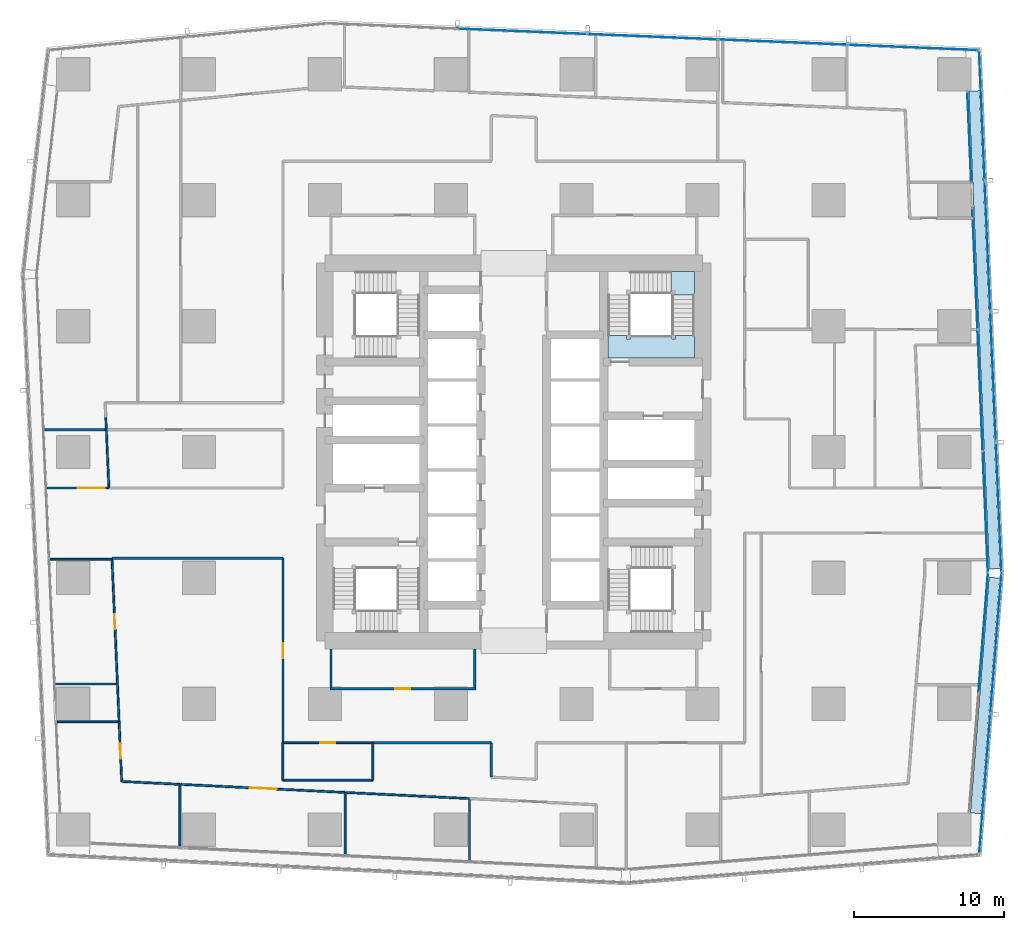
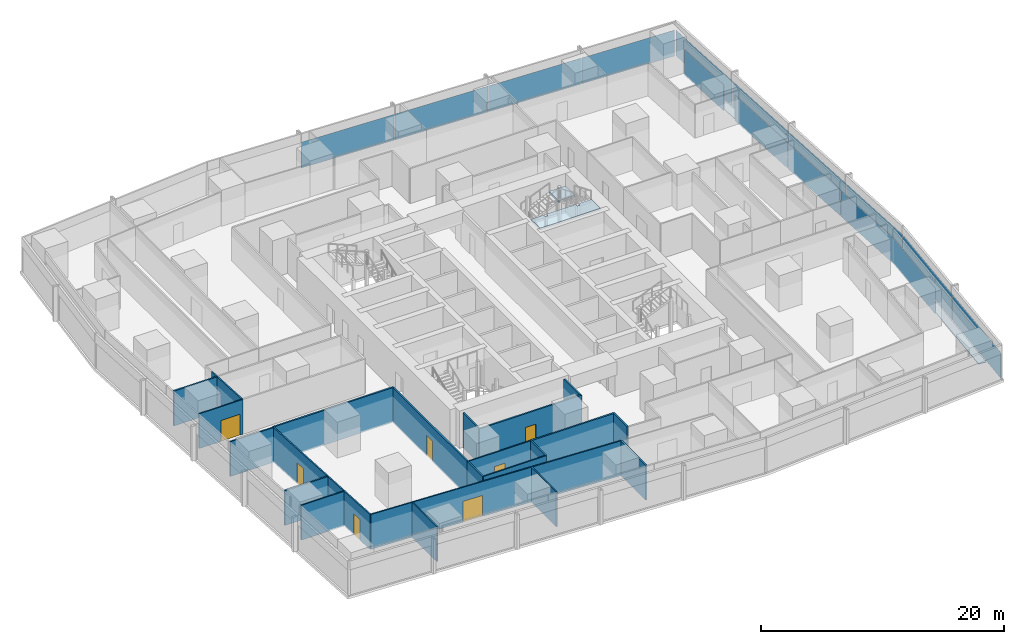
# One storey, part 31 of 45: 27 walls, 17 plates, 7 doors, 2 slabs, 7 openings, 7 elements without a shape of their own.
"""IFC4 building model written with IfcOpenShell, lengths in metres."""

from ifc_helpers import new_model, si_unit, direction, frame, frame_2d, origin, origin_2d, place, context, subcontext, project, spatial, polyline, rectangle, outline, extrude, material, layer, layer_set, type_object, element, fill, aggregate, save


model = new_model("IFC4")

# Units and contexts
model_context = context("Model", 3, precision=1e-05, world=origin(), true_north=direction((0.0, 1.0)))
body_context = subcontext(model_context, "Body", "Model", "MODEL_VIEW")
ifc_project = project(units=[si_unit("LENGTHUNIT", "METRE"), si_unit("AREAUNIT", "SQUARE_METRE"), si_unit("VOLUMEUNIT", "CUBIC_METRE"), si_unit("PLANEANGLEUNIT", "RADIAN"), si_unit("MASSUNIT", "GRAM", prefix="KILO")], contexts=[model_context])

# Site, building, storey
site_placement = place(None, origin())
site = spatial("IfcSite", under=ifc_project, at=site_placement, CompositionType="ELEMENT")
building_placement = place(site_placement, origin())
building = spatial("IfcBuilding", under=site, at=building_placement, Name="Rekha Terrace Tower", CompositionType="ELEMENT")
storey_placement = place(building_placement, frame((0.0, 0.0, 44.14990234375)))
storey = spatial("IfcBuildingStorey", under=building, at=storey_placement, Name="L10", CompositionType="ELEMENT", Elevation=44.14990234375)

# Curtain wall, plate
ifc_material_1 = material(Name="Aluminium framing", Category="aluminium")
curtain_wall_type_1 = type_object("IfcCurtainWallType", Name="CW1 double skin inner glazing", PredefinedType="USERDEFINED", material=ifc_material_1)
curtain_wall_1_placement = place(storey_placement, origin())
curtain_wall_1 = element("IfcCurtainWall", 1, at=curtain_wall_1_placement, inside=storey, type_object=curtain_wall_type_1, Name="CW1 double skin inner glazing", ObjectType="DOUBLE SKIN INNER GLAZING", PredefinedType="USERDEFINED")
ifc_material_2 = material(Name="Double-glazed low-e unit 32", Category="glass")
ifc_layer_1 = layer(ifc_material_2, 0.031982421875)
ifc_layer_set_1 = layer_set([ifc_layer_1], Name="Double-glazed low-e unit 32")
plate_type_1 = type_object("IfcPlateType", Name="CW1 jumbo vision panel, double-glazed low-e unit 32", PredefinedType="CURTAIN_PANEL", material=ifc_layer_set_1)
plate_1_placement = place(storey_placement, frame((69.1220703125, 21.53759765625, 0.0), z_axis=(0.0, 0.0, 1.0), x_axis=(0.079116301, 0.996865392576, 0.0)))
plate_1 = element("IfcPlate", 2, at=plate_1_placement, type_object=plate_type_1, Name="CW1 panel 2.1", PredefinedType="CURTAIN_PANEL", context=body_context, shape_type="SweptSolid", body=[
    extrude(rectangle(XDim=7.988525390625, YDim=0.031982421875, at=origin_2d()), origin(), (0.0, 0.0, 1.0), 2.60009765625),
])
aggregate(curtain_wall_1, [plate_1])

# Curtain wall, plates
curtain_wall_2_placement = place(storey_placement, origin())
curtain_wall_2 = element("IfcCurtainWall", 3, at=curtain_wall_2_placement, inside=storey, type_object=curtain_wall_type_1, Name="CW1 double skin inner glazing", ObjectType="DOUBLE SKIN INNER GLAZING", PredefinedType="USERDEFINED")
plate_2_placement = place(storey_placement, frame((69.263671875, 29.60107421875, 0.0), z_axis=(0.0, 0.0, 1.0), x_axis=(-0.042696072921, 0.999088106904, 0.0)))
plate_2 = element("IfcPlate", 4, at=plate_2_placement, type_object=plate_type_1, Name="CW1 panel 1.1", PredefinedType="CURTAIN_PANEL", context=body_context, shape_type="SweptSolid", body=[
    extrude(rectangle(XDim=8.041015625, YDim=0.031982421875, at=origin_2d()), origin(), (0.0, 0.0, 1.0), 2.60009765625),
])
plate_3_placement = place(storey_placement, frame((68.9169921875, 37.7158203125, 0.0), z_axis=(0.0, 0.0, 1.0), x_axis=(-0.042696072921, 0.999088106904, 0.0)))
plate_3 = element("IfcPlate", 5, at=plate_3_placement, type_object=plate_type_1, Name="CW1 panel 2.1", PredefinedType="CURTAIN_PANEL", context=body_context, shape_type="SweptSolid", body=[
    extrude(rectangle(XDim=8.073486328125, YDim=0.031982421875, at=origin_2d()), origin(), (0.0, 0.0, 1.0), 2.60009765625),
])
plate_4_placement = place(storey_placement, frame((68.5703125, 45.83056640625, 0.0), z_axis=(0.0, 0.0, 1.0), x_axis=(-0.042696072921, 0.999088106904, 0.0)))
plate_4 = element("IfcPlate", 6, at=plate_4_placement, type_object=plate_type_1, Name="CW1 panel 3.1", PredefinedType="CURTAIN_PANEL", context=body_context, shape_type="SweptSolid", body=[
    extrude(rectangle(XDim=8.041015625, YDim=0.031982421875, at=origin_2d()), origin(), (0.0, 0.0, 1.0), 2.60009765625),
])
aggregate(curtain_wall_2, [plate_2, plate_3, plate_4])

# Curtain wall, plate
curtain_wall_3_placement = place(storey_placement, origin())
curtain_wall_3 = element("IfcCurtainWall", 7, at=curtain_wall_3_placement, inside=storey, type_object=curtain_wall_type_1, Name="CW1 double skin inner glazing", ObjectType="DOUBLE SKIN INNER GLAZING", PredefinedType="USERDEFINED")
plate_5_placement = place(storey_placement, frame((68.195556640625, 54.60009765625, 0.0), z_axis=(0.0, 0.0, 1.0), x_axis=(-0.042696073026, 0.9990881069, 0.0)))
plate_5 = element("IfcPlate", 8, at=plate_5_placement, type_object=plate_type_1, Name="CW1 panel 1.1", PredefinedType="CURTAIN_PANEL", context=body_context, shape_type="SweptSolid", body=[
    extrude(rectangle(XDim=6.027587890625, YDim=0.031982421875, at=origin_2d()), origin(), (0.0, 0.0, 1.0), 2.60009765625),
])
aggregate(curtain_wall_3, [plate_5])

# Curtain wall, plates
curtain_wall_type_2 = type_object("IfcCurtainWallType", Name="CW2 double skin outer glazing", PredefinedType="USERDEFINED", material=ifc_material_1)
curtain_wall_4_placement = place(storey_placement, origin())
curtain_wall_4 = element("IfcCurtainWall", 9, at=curtain_wall_4_placement, inside=storey, type_object=curtain_wall_type_2, Name="CW2 double skin outer glazing", ObjectType="DOUBLE SKIN OUTER GLAZING", PredefinedType="USERDEFINED")
ifc_material_3 = material(Name="Toughened single glazing 12", Category="glass")
ifc_layer_2 = layer(ifc_material_3, 0.011962890625)
ifc_layer_set_2 = layer_set([ifc_layer_2], Name="Toughened single glazing 12")
plate_type_2 = type_object("IfcPlateType", Name="CW2 jumbo vision panel, toughened single glazing 12", PredefinedType="CURTAIN_PANEL", material=ifc_layer_set_2)
plate_6_placement = place(storey_placement, frame((69.22509765625, 11.45703125, 0.0), z_axis=(0.0, 0.0, 1.0), x_axis=(0.079116301017, 0.996865392575, 0.0)))
plate_6 = element("IfcPlate", 10, at=plate_6_placement, type_object=plate_type_2, Name="CW2 panel 1.1", PredefinedType="CURTAIN_PANEL", context=body_context, shape_type="SweptSolid", body=[
    extrude(rectangle(XDim=9.28662109375, YDim=0.011962890625, at=origin_2d()), origin(), (0.0, 0.0, 1.0), 2.60009765625),
])
plate_7_placement = place(storey_placement, frame((69.96923828125, 20.834228515625, 0.0), z_axis=(0.0, 0.0, 1.0), x_axis=(0.079116301017, 0.996865392575, 0.0)))
plate_7 = element("IfcPlate", 11, at=plate_7_placement, type_object=plate_type_2, Name="CW2 panel 2.1", PredefinedType="CURTAIN_PANEL", context=body_context, shape_type="SweptSolid", body=[
    extrude(rectangle(XDim=9.36669921875, YDim=0.011962890625, at=origin_2d()), origin(), (0.0, 0.0, 1.0), 2.60009765625),
])
aggregate(curtain_wall_4, [plate_6, plate_7])

curtain_wall_5_placement = place(storey_placement, origin())
curtain_wall_5 = element("IfcCurtainWall", 12, at=curtain_wall_5_placement, inside=storey, type_object=curtain_wall_type_2, Name="CW2 double skin outer glazing", ObjectType="DOUBLE SKIN OUTER GLAZING", PredefinedType="USERDEFINED")
plate_8_placement = place(storey_placement, frame((70.152099609375, 29.890869140625, 0.0), z_axis=(0.0, 0.0, 1.0), x_axis=(-0.042696072956, 0.999088106903, 0.0)))
plate_8 = element("IfcPlate", 13, at=plate_8_placement, type_object=plate_type_2, Name="CW2 panel 1.1", PredefinedType="CURTAIN_PANEL", context=body_context, shape_type="SweptSolid", body=[
    extrude(rectangle(XDim=8.623779296875, YDim=0.011962890625, at=origin_2d()), origin(), (0.0, 0.0, 1.0), 2.60009765625),
])
plate_9_placement = place(storey_placement, frame((69.77978515625, 38.606689453125, 0.0), z_axis=(0.0, 0.0, 1.0), x_axis=(-0.042696072956, 0.999088106903, 0.0)))
plate_9 = element("IfcPlate", 14, at=plate_9_placement, type_object=plate_type_2, Name="CW2 panel 2.1", PredefinedType="CURTAIN_PANEL", context=body_context, shape_type="SweptSolid", body=[
    extrude(rectangle(XDim=8.663818359375, YDim=0.011962890625, at=origin_2d()), origin(), (0.0, 0.0, 1.0), 2.60009765625),
])
plate_10_placement = place(storey_placement, frame((69.406494140625, 47.342529296875, 0.0), z_axis=(0.0, 0.0, 1.0), x_axis=(-0.042696072956, 0.999088106903, 0.0)))
plate_10 = element("IfcPlate", 15, at=plate_10_placement, type_object=plate_type_2, Name="CW2 panel 3.1", PredefinedType="CURTAIN_PANEL", context=body_context, shape_type="SweptSolid", body=[
    extrude(rectangle(XDim=8.663818359375, YDim=0.011962890625, at=origin_2d()), origin(), (0.0, 0.0, 1.0), 2.60009765625),
])
plate_11_placement = place(storey_placement, frame((69.033935546875, 56.058349609375, 0.0), z_axis=(0.0, 0.0, 1.0), x_axis=(-0.042696072956, 0.999088106903, 0.0)))
plate_11 = element("IfcPlate", 16, at=plate_11_placement, type_object=plate_type_2, Name="CW2 panel 4.1", PredefinedType="CURTAIN_PANEL", context=body_context, shape_type="SweptSolid", body=[
    extrude(rectangle(XDim=8.623779296875, YDim=0.011962890625, at=origin_2d()), origin(), (0.0, 0.0, 1.0), 2.60009765625),
])
aggregate(curtain_wall_5, [plate_8, plate_9, plate_10, plate_11])

curtain_wall_type_3 = type_object("IfcCurtainWallType", Name="CW3 north unitised glazing", PredefinedType="USERDEFINED", material=ifc_material_1)
curtain_wall_6_placement = place(storey_placement, origin())
curtain_wall_6 = element("IfcCurtainWall", 17, at=curtain_wall_6_placement, inside=storey, type_object=curtain_wall_type_3, Name="CW3 unitised curtain wall", ObjectType="UNITISED CURTAIN WALL", PredefinedType="USERDEFINED")
ifc_material_4 = material(Name="Double-glazed unit 28", Category="glass")
ifc_layer_3 = layer(ifc_material_4, 0.028076171875)
ifc_layer_set_3 = layer_set([ifc_layer_3], Name="Double-glazed unit 28")
plate_type_3 = type_object("IfcPlateType", Name="CW3 jumbo vision panel, double-glazed unit 28", PredefinedType="CURTAIN_PANEL", material=ifc_layer_set_3)
plate_12_placement = place(storey_placement, frame((64.4423828125, 60.587646484375, 0.0), z_axis=(0.0, 0.0, 1.0), x_axis=(-0.999151997647, 0.041173846041, 0.0)))
plate_12 = element("IfcPlate", 18, at=plate_12_placement, type_object=plate_type_3, Name="CW3 panel 1.1", PredefinedType="CURTAIN_PANEL", context=body_context, shape_type="SweptSolid", body=[
    extrude(rectangle(XDim=8.598876953125, YDim=0.028076171875, at=origin_2d()), origin(), (0.0, 0.0, 1.0), 2.60009765625),
])
plate_13_placement = place(storey_placement, frame((55.76318359375, 60.9453125, 0.0), z_axis=(0.0, 0.0, 1.0), x_axis=(-0.999151997647, 0.041173846041, 0.0)))
plate_13 = element("IfcPlate", 19, at=plate_13_placement, type_object=plate_type_3, Name="CW3 panel 2.1", PredefinedType="CURTAIN_PANEL", context=body_context, shape_type="SweptSolid", body=[
    extrude(rectangle(XDim=8.6337890625, YDim=0.028076171875, at=origin_2d()), origin(), (0.0, 0.0, 1.0), 2.60009765625),
])
plate_14_placement = place(storey_placement, frame((47.066650390625, 61.3037109375, 0.0), z_axis=(0.0, 0.0, 1.0), x_axis=(-0.999151997647, 0.041173846041, 0.0)))
plate_14 = element("IfcPlate", 20, at=plate_14_placement, type_object=plate_type_3, Name="CW3 panel 3.1", PredefinedType="CURTAIN_PANEL", context=body_context, shape_type="SweptSolid", body=[
    extrude(rectangle(XDim=8.6337890625, YDim=0.028076171875, at=origin_2d()), origin(), (0.0, 0.0, 1.0), 2.60009765625),
])
plate_15_placement = place(storey_placement, frame((38.370361328125, 61.662109375, 0.0), z_axis=(0.0, 0.0, 1.0), x_axis=(-0.999151997647, 0.041173846041, 0.0)))
plate_15 = element("IfcPlate", 21, at=plate_15_placement, type_object=plate_type_3, Name="CW3 panel 4.1", PredefinedType="CURTAIN_PANEL", context=body_context, shape_type="SweptSolid", body=[
    extrude(rectangle(XDim=8.6337890625, YDim=0.028076171875, at=origin_2d()), origin(), (0.0, 0.0, 1.0), 2.60009765625),
])
aggregate(curtain_wall_6, [plate_12, plate_13, plate_14, plate_15])

# Plates
ifc_material_5 = material(Name="Galvanised steel open grating", Category="steel")
ifc_layer_4 = layer(ifc_material_5, 0.050048828125)
ifc_layer_set_4 = layer_set([ifc_layer_4], Name="Galvanised steel open grating")
plate_type_4 = type_object("IfcPlateType", Name="GT1 cavity walkway grating 50", PredefinedType="USERDEFINED", material=ifc_layer_set_4)
plate_16_placement = place(storey_placement, frame((69.241455078125, 17.353515625, 0.0), z_axis=(0.0, 0.0, 1.0), x_axis=(0.079116301, 0.996865392576, 0.0)))
element("IfcPlate", 22, at=plate_16_placement, inside=storey, type_object=plate_type_4, Name="Cavity walkway grating", ObjectType="CAVITY WALKWAY GRATING", PredefinedType="USERDEFINED", context=body_context, shape_type="SweptSolid", body=[
    extrude(rectangle(XDim=15.7666015625, YDim=0.705078125, at=origin_2d()), origin(), (0.0, 0.0, 1.0), 0.050048828125),
])
plate_17_placement = place(storey_placement, frame((69.195068359375, 41.75, 0.0), z_axis=(0.0, 0.0, 1.0), x_axis=(-0.042696072939, 0.999088106903, 0.0)))
element("IfcPlate", 23, at=plate_17_placement, inside=storey, type_object=plate_type_4, Name="Cavity walkway grating", ObjectType="CAVITY WALKWAY GRATING", PredefinedType="USERDEFINED", context=body_context, shape_type="SweptSolid", body=[
    extrude(rectangle(XDim=31.9072265625, YDim=0.705078125, at=origin_2d()), origin(), (0.0, 0.0, 1.0), 0.050048828125),
])

# Stair, slabs
ifc_material_6 = material(Name="Concrete M40", Category="concrete")
stair_type = type_object("IfcStairType", Name="ST30 stair, 30 risers of 125, going 300, 1500 wide flights, 3 flights", PredefinedType="HALF_TURN_STAIR", material=ifc_material_6)
stair_placement = place(storey_placement, origin())
stair = element("IfcStair", 24, at=stair_placement, inside=storey, type_object=stair_type, Name="Stair ST2 L10 to L11", PredefinedType="HALF_TURN_STAIR")
ifc_layer_5 = layer(ifc_material_6, 0.199951171875)
ifc_layer_set_5 = layer_set([ifc_layer_5], Name="Concrete M40")
slab_type = type_object("IfcSlabType", Name="LD1 200 concrete stair landing", PredefinedType="LANDING", material=ifc_layer_set_5)
slab_1_placement = place(storey_placement, frame((0.0, 0.0, 2.300048828125)))
slab_1 = element("IfcSlab", 25, at=slab_1_placement, type_object=slab_type, Name="ST2 landing 2", PredefinedType="LANDING", context=body_context, shape_type="SweptSolid", body=[
    extrude(outline(polyline([(48.35009765625, 44.074951171875), (49.85009765625, 44.074951171875), (49.85009765625, 45.64990234375), (48.27490234375, 45.64990234375), (48.27490234375, 44.14990234375), (48.35009765625, 44.14990234375), (48.35009765625, 44.074951171875)])), origin(), (0.0, 0.0, 1.0), 0.199951171875),
])
slab_2_placement = place(storey_placement, frame((0.0, 0.0, 3.550048828125)))
slab_2 = element("IfcSlab", 26, at=slab_2_placement, type_object=slab_type, Name="ST2 landing 3", PredefinedType="LANDING", context=body_context, shape_type="SweptSolid", body=[
    extrude(outline(polyline([(44.074951171875, 41.375), (44.074951171875, 39.875), (49.85009765625, 39.875), (49.85009765625, 41.375), (48.60009765625, 41.375), (48.60009765625, 41.125), (48.35009765625, 41.125), (48.35009765625, 41.375), (45.574951171875, 41.375), (45.574951171875, 41.125), (45.324951171875, 41.125), (45.324951171875, 41.375), (44.074951171875, 41.375)])), origin(), (0.0, 0.0, 1.0), 0.199951171875),
])
aggregate(stair, [slab_1, slab_2])

# Wall, opening, door
ifc_material_7 = material(Name="Concrete block masonry, 1 hour", Category="masonry")
ifc_layer_6 = layer(ifc_material_7, 0.14990234375)
ifc_layer_set_6 = layer_set([ifc_layer_6], Name="Concrete block masonry, 1 hour")
wall_type_1 = type_object("IfcWallType", Name="WP2 150 tenancy partition", PredefinedType="PARTITIONING", material=ifc_layer_set_6)
wall_1_placement = place(storey_placement, frame((25.52490234375, 17.800048828125, 0.0), z_axis=(0.0, 0.0, 1.0), x_axis=(1.0, 0.0, 0.0)))
wall_1 = element("IfcWall", 27, at=wall_1_placement, inside=storey, type_object=wall_type_1, Name="Men's WC wall L10", PredefinedType="PARTITIONING", context=body_context, shape_type="SweptSolid", body=[
    extrude(rectangle(XDim=9.75, YDim=0.14990234375, at=frame_2d((4.875, 0.0))), origin(), (0.0, 0.0, 1.0), 3.5),
])
opening_1_placement = place(wall_1_placement, frame((4.375, 0.0, 0.0)))
opening_1 = element("IfcOpeningElement", 28, at=opening_1_placement, cuts=wall_1, Name="Opening D3", PredefinedType="OPENING", context=body_context, shape_type="SweptSolid", body=[
    extrude(rectangle(XDim=1.0, YDim=2.10009765625, at=frame_2d((0.5, 1.050048828125))), frame((0.0, 0.0849609375, 0.0), z_axis=(0.0, -1.0, 0.0), x_axis=(1.0, 0.0, 0.0)), (0.0, 0.0, 1.0), 0.169921875),
])
ifc_material_8 = material(Name="Laminated timber fire door", Category="wood")
door_type_1 = type_object("IfcDoorType", Name="D3 1000x2100 WC door", OperationType="SINGLE_SWING_LEFT", PredefinedType="DOOR", material=ifc_material_8)
door_1_placement = place(opening_1_placement, origin())
door_1 = element("IfcDoor", 29, at=door_1_placement, inside=storey, type_object=door_type_1, Name="Door men's wc L10", OperationType="SINGLE_SWING_LEFT", OverallHeight=2.10009765625, OverallWidth=1.0, PredefinedType="DOOR", context=body_context, shape_type="SweptSolid", body=[
    extrude(rectangle(XDim=1.0, YDim=2.10009765625, at=frame_2d((0.5, 1.050048828125))), frame((0.0, 0.02490234375, 0.0), z_axis=(0.0, -1.0, 0.0), x_axis=(1.0, 0.0, 0.0)), (0.0, 0.0, 1.0), 0.050048828125),
])
fill(opening_1, door_1)

# Walls
for number, where, z_axis, x_axis, name in (
    (30, (25.60009765625, 17.875, 0.0), (0.0, 0.0, 1.0), (0.0, 1.0, 0.0), "Men's WC wall L10"),
    (31, (35.199951171875, 17.875, 0.0), (0.0, 0.0, 1.0), (0.0, 1.0, 0.0), "Men's WC wall L10"),
):
    element("IfcWall", number, at=place(storey_placement, frame(where, z_axis=z_axis, x_axis=x_axis)), inside=storey, type_object=wall_type_1, Name=name, PredefinedType="PARTITIONING", context=body_context, shape_type="SweptSolid", body=[
        extrude(rectangle(XDim=2.574951171875, YDim=0.14990234375, at=frame_2d((1.28759765625, 0.0))), origin(), (0.0, 0.0, 1.0), 3.5),
    ])
for number, where, z_axis, x_axis, name in (
    (32, (10.55810546875, 35.076904296875, 0.0), (0.0, 0.0, 1.0), (-1.0, 0.0, 0.0), "Partition L10-O4b"),
    (33, (11.300048828125, 18.115966796875, 0.0), (0.0, 0.0, 1.0), (-1.0, 0.0, 0.0), "Partition L10-O5"),
):
    element("IfcWall", number, at=place(storey_placement, frame(where, z_axis=z_axis, x_axis=x_axis)), inside=storey, type_object=wall_type_1, Name=name, PredefinedType="PARTITIONING", context=body_context, shape_type="SweptSolid", body=[
        extrude(rectangle(XDim=4.092041015625, YDim=0.14990234375, at=frame_2d((2.0458984375, 0.0))), origin(), (0.0, 0.0, 1.0), 3.5),
    ])
wall_2_placement = place(storey_placement, frame((10.9970703125, 26.511962890625, 0.0), z_axis=(0.0, 0.0, 1.0), x_axis=(1.0, 0.0, 0.0)))
element("IfcWall", 34, at=wall_2_placement, inside=storey, type_object=wall_type_1, Name="Partition L10-O5", PredefinedType="PARTITIONING", context=body_context, shape_type="SweptSolid", body=[
    extrude(rectangle(XDim=11.40283203125, YDim=0.14990234375, at=frame_2d((5.701416015625, 0.0))), origin(), (0.0, 0.0, 1.0), 3.5),
])

# Wall, opening, door
wall_3_placement = place(storey_placement, frame((22.39990234375, 26.511962890625, 0.0), z_axis=(0.0, 0.0, 1.0), x_axis=(0.0, -1.0, 0.0)))
wall_3 = element("IfcWall", 35, at=wall_3_placement, inside=storey, type_object=wall_type_1, Name="Partition L10-O5", PredefinedType="PARTITIONING", context=body_context, shape_type="SweptSolid", body=[
    extrude(rectangle(XDim=12.31201171875, YDim=0.14990234375, at=frame_2d((6.156005859375, 0.0))), origin(), (0.0, 0.0, 1.0), 3.5),
])
opening_2_placement = place(wall_3_placement, frame((5.656005859375, 0.0, 0.0)))
opening_2 = element("IfcOpeningElement", 36, at=opening_2_placement, cuts=wall_3, Name="Opening D9", PredefinedType="OPENING", context=body_context, shape_type="SweptSolid", body=[
    extrude(rectangle(XDim=1.0, YDim=2.10009765625, at=frame_2d((0.5, 1.050048828125))), frame((0.0, 0.0849609375, 0.0), z_axis=(0.0, -1.0, 0.0), x_axis=(1.0, 0.0, 0.0)), (0.0, 0.0, 1.0), 0.169921875),
])
ifc_material_9 = material(Name="Timber fire door", Category="wood")
door_type_2 = type_object("IfcDoorType", Name="D9 1000x2100 office door", OperationType="SINGLE_SWING_LEFT", PredefinedType="DOOR", material=ifc_material_9)
door_2_placement = place(opening_2_placement, origin())
door_2 = element("IfcDoor", 37, at=door_2_placement, inside=storey, type_object=door_type_2, Name="Door open-plan office L10", OperationType="SINGLE_SWING_LEFT", OverallHeight=2.10009765625, OverallWidth=1.0, PredefinedType="DOOR", context=body_context, shape_type="SweptSolid", body=[
    extrude(rectangle(XDim=1.0, YDim=2.10009765625, at=frame_2d((0.5, 1.050048828125))), frame((0.0, 0.02490234375, 0.0), z_axis=(0.0, -1.0, 0.0), x_axis=(1.0, 0.0, 0.0)), (0.0, 0.0, 1.0), 0.050048828125),
])
fill(opening_2, door_2)

# Walls
wall_4_placement = place(storey_placement, frame((28.39990234375, 14.199951171875, 0.0), z_axis=(0.0, 0.0, 1.0), x_axis=(1.0, 0.0, 0.0)))
element("IfcWall", 38, at=wall_4_placement, inside=storey, type_object=wall_type_1, Name="Partition L10-O5", PredefinedType="PARTITIONING", context=body_context, shape_type="SweptSolid", body=[
    extrude(rectangle(XDim=7.900146484375, YDim=0.14990234375, at=frame_2d((3.9501953125, 0.0))), origin(), (0.0, 0.0, 1.0), 3.5),
])
wall_5_placement = place(storey_placement, frame((36.300048828125, 14.199951171875, 0.0), z_axis=(0.0, 0.0, 1.0), x_axis=(0.0, -1.0, 0.0)))
element("IfcWall", 39, at=wall_5_placement, inside=storey, type_object=wall_type_1, Name="Partition L10-O5", PredefinedType="PARTITIONING", context=body_context, shape_type="SweptSolid", body=[
    extrude(rectangle(XDim=2.291015625, YDim=0.14990234375, at=frame_2d((1.1455078125, 0.0))), origin(), (0.0, 0.0, 1.0), 3.5),
])
wall_6_placement = place(storey_placement, frame((34.841064453125, 10.416015625, 0.0), z_axis=(0.0, 0.0, 1.0), x_axis=(0.0, -1.0, 0.0)))
element("IfcWall", 40, at=wall_6_placement, inside=storey, type_object=wall_type_1, Name="Partition L10-O5", PredefinedType="PARTITIONING", context=body_context, shape_type="SweptSolid", body=[
    extrude(rectangle(XDim=4.06201171875, YDim=0.14990234375, at=frame_2d((2.031005859375, 0.0))), origin(), (0.0, 0.0, 1.0), 3.5),
])
ifc_material_10 = material(Name="Two layers of fire-rated gypsum board each side on steel studs, acoustic quilt, 1 hour", Category="steel")
ifc_layer_7 = layer(ifc_material_10, 0.125)
ifc_layer_set_7 = layer_set([ifc_layer_7], Name="Two layers of fire-rated gypsum board each side on steel studs, acoustic quilt, 1 hour")
wall_type_2 = type_object("IfcWallType", Name="WP3 125 office partition", PredefinedType="PARTITIONING", material=ifc_layer_set_7)
wall_7_placement = place(storey_placement, frame((10.5849609375, 35.881103515625, 0.0), z_axis=(0.0, 0.0, 1.0), x_axis=(0.043793560627, -0.999040601801, 0.0)))
element("IfcWall", 41, at=wall_7_placement, inside=storey, type_object=wall_type_2, Name="Partition L10-15", PredefinedType="PARTITIONING", context=body_context, shape_type="SweptSolid", body=[
    extrude(rectangle(XDim=0.802734375, YDim=0.125, at=frame_2d((0.4013671875, 0.0))), origin(), (0.0, 0.0, 1.0), 3.5),
])
wall_8_placement = place(storey_placement, frame((10.6201171875, 35.0791015625, 0.0), z_axis=(0.0, 0.0, 1.0), x_axis=(0.043761924835, -0.999041988074, 0.0)))
element("IfcWall", 42, at=wall_8_placement, inside=storey, type_object=wall_type_2, Name="Partition L10-15", PredefinedType="PARTITIONING", context=body_context, shape_type="SweptSolid", body=[
    extrude(rectangle(XDim=3.8828125, YDim=0.125, at=frame_2d((1.94140625, 0.0))), origin(), (0.0, 0.0, 1.0), 3.5),
])

# Wall, opening, door
wall_9_placement = place(storey_placement, frame((10.7900390625, 31.199951171875, 0.0), z_axis=(0.0, 0.0, 1.0), x_axis=(-1.0, 0.0, 0.0)))
wall_9 = element("IfcWall", 43, at=wall_9_placement, inside=storey, type_object=wall_type_2, Name="Partition L10-15", PredefinedType="PARTITIONING", context=body_context, shape_type="SweptSolid", body=[
    extrude(rectangle(XDim=4.155029296875, YDim=0.125, at=frame_2d((2.07763671875, 0.0))), origin(), (0.0, 0.0, 1.0), 3.5),
])
opening_3_placement = place(wall_9_placement, frame((0.261962890625, 0.0, 0.0)))
opening_3 = element("IfcOpeningElement", 44, at=opening_3_placement, cuts=wall_9, Name="Opening D8", PredefinedType="OPENING", context=body_context, shape_type="SweptSolid", body=[
    extrude(rectangle(XDim=1.800048828125, YDim=2.10009765625, at=frame_2d((0.89990234375, 1.050048828125))), frame((0.0, 0.072509765625, 0.0), z_axis=(0.0, -1.0, 0.0), x_axis=(1.0, 0.0, 0.0)), (0.0, 0.0, 1.0), 0.14501953125),
])
door_type_3 = type_object("IfcDoorType", Name="D8 1800x2100 double leaf door", OperationType="DOUBLE_DOOR_SINGLE_SWING", PredefinedType="DOOR", material=ifc_material_9)
door_3_placement = place(opening_3_placement, origin())
door_3 = element("IfcDoor", 45, at=door_3_placement, inside=storey, type_object=door_type_3, Name="Door reception L10", OperationType="DOUBLE_DOOR_SINGLE_SWING", OverallHeight=2.10009765625, OverallWidth=1.800048828125, PredefinedType="DOOR", context=body_context, shape_type="SweptSolid", body=[
    extrude(rectangle(XDim=1.800048828125, YDim=2.10009765625, at=frame_2d((0.89990234375, 1.050048828125))), frame((0.0, 0.02490234375, 0.0), z_axis=(0.0, -1.0, 0.0), x_axis=(1.0, 0.0, 0.0)), (0.0, 0.0, 1.0), 0.050048828125),
])
fill(opening_3, door_3)

wall_10_placement = place(storey_placement, frame((10.9970703125, 26.448974609375, 0.0), z_axis=(0.0, 0.0, 1.0), x_axis=(0.043768823127, -0.999041685878, 0.0)))
wall_10 = element("IfcWall", 46, at=wall_10_placement, inside=storey, type_object=wall_type_2, Name="Partition L10-17", PredefinedType="PARTITIONING", context=body_context, shape_type="SweptSolid", body=[
    extrude(rectangle(XDim=8.339111328125, YDim=0.125, at=frame_2d((4.16943359375, 0.0))), origin(), (0.0, 0.0, 1.0), 3.5),
])
opening_4_placement = place(wall_10_placement, frame((3.6689453125, 0.0, 0.0)))
opening_4 = element("IfcOpeningElement", 47, at=opening_4_placement, cuts=wall_10, Name="Opening D9", PredefinedType="OPENING", context=body_context, shape_type="SweptSolid", body=[
    extrude(rectangle(XDim=1.0, YDim=2.10009765625, at=frame_2d((0.5, 1.050048828125))), frame((0.0, 0.072509765625, 0.0), z_axis=(0.0, -1.0, 0.0), x_axis=(1.0, 0.0, 0.0)), (0.0, 0.0, 1.0), 0.14501953125),
])
door_4_placement = place(opening_4_placement, origin())
door_4 = element("IfcDoor", 48, at=door_4_placement, inside=storey, type_object=door_type_2, Name="Door office L10", OperationType="SINGLE_SWING_LEFT", OverallHeight=2.10009765625, OverallWidth=1.0, PredefinedType="DOOR", context=body_context, shape_type="SweptSolid", body=[
    extrude(rectangle(XDim=1.0, YDim=2.10009765625, at=frame_2d((0.5, 1.050048828125))), frame((0.0, 0.02490234375, 0.0), z_axis=(0.0, -1.0, 0.0), x_axis=(1.0, 0.0, 0.0)), (0.0, 0.0, 1.0), 0.050048828125),
])
fill(opening_4, door_4)

# Walls
wall_11_placement = place(storey_placement, frame((11.362060546875, 18.117919921875, 0.0), z_axis=(0.0, 0.0, 1.0), x_axis=(0.043578417469, -0.999050009525, 0.0)))
element("IfcWall", 49, at=wall_11_placement, inside=storey, type_object=wall_type_2, Name="Partition L10-17", PredefinedType="PARTITIONING", context=body_context, shape_type="SweptSolid", body=[
    extrude(rectangle(XDim=2.476318359375, YDim=0.125, at=frame_2d((1.23828125, 0.0))), origin(), (0.0, 0.0, 1.0), 3.5),
])
wall_12_placement = place(storey_placement, frame((11.408935546875, 15.60791015625, 0.0), z_axis=(0.0, 0.0, 1.0), x_axis=(-1.0, 0.0, 0.0)))
element("IfcWall", 50, at=wall_12_placement, inside=storey, type_object=wall_type_2, Name="Partition L10-17", PredefinedType="PARTITIONING", context=body_context, shape_type="SweptSolid", body=[
    extrude(rectangle(XDim=4.06201171875, YDim=0.125, at=frame_2d((2.031005859375, 0.0))), origin(), (0.0, 0.0, 1.0), 3.5),
])
wall_13_placement = place(storey_placement, frame((6.843017578125, 26.448974609375, 0.0), z_axis=(0.0, 0.0, 1.0), x_axis=(1.0, 0.0, 0.0)))
element("IfcWall", 51, at=wall_13_placement, inside=storey, type_object=wall_type_2, Name="Partition L10-17", PredefinedType="PARTITIONING", context=body_context, shape_type="SweptSolid", body=[
    extrude(rectangle(XDim=4.154052734375, YDim=0.125, at=frame_2d((2.0771484375, 0.0))), origin(), (0.0, 0.0, 1.0), 3.5),
])

# Wall, opening, door
wall_14_placement = place(storey_placement, frame((11.469970703125, 15.64306640625, 0.0), z_axis=(0.0, 0.0, 1.0), x_axis=(0.043689667834, -0.999045150594, 0.0)))
wall_14 = element("IfcWall", 52, at=wall_14_placement, inside=storey, type_object=wall_type_2, Name="Partition L10-18", PredefinedType="PARTITIONING", context=body_context, shape_type="SweptSolid", body=[
    extrude(rectangle(XDim=4.029052734375, YDim=0.125, at=frame_2d((2.0146484375, 0.0))), origin(), (0.0, 0.0, 1.0), 3.5),
])
opening_5_placement = place(wall_14_placement, frame((1.513916015625, 0.0, 0.0)))
opening_5 = element("IfcOpeningElement", 53, at=opening_5_placement, cuts=wall_14, Name="Opening D9", PredefinedType="OPENING", context=body_context, shape_type="SweptSolid", body=[
    extrude(rectangle(XDim=1.0, YDim=2.10009765625, at=frame_2d((0.5, 1.050048828125))), frame((0.0, 0.072509765625, 0.0), z_axis=(0.0, -1.0, 0.0), x_axis=(1.0, 0.0, 0.0)), (0.0, 0.0, 1.0), 0.14501953125),
])
door_5_placement = place(opening_5_placement, origin())
door_5 = element("IfcDoor", 54, at=door_5_placement, inside=storey, type_object=door_type_2, Name="Door manager's office L10", OperationType="SINGLE_SWING_LEFT", OverallHeight=2.10009765625, OverallWidth=1.0, PredefinedType="DOOR", context=body_context, shape_type="SweptSolid", body=[
    extrude(rectangle(XDim=1.0, YDim=2.10009765625, at=frame_2d((0.5, 1.050048828125))), frame((0.0, 0.02490234375, 0.0), z_axis=(0.0, -1.0, 0.0), x_axis=(1.0, 0.0, 0.0)), (0.0, 0.0, 1.0), 0.050048828125),
])
fill(opening_5, door_5)

# Walls
wall_15_placement = place(storey_placement, frame((11.64599609375, 11.617919921875, 0.0), z_axis=(0.0, 0.0, 1.0), x_axis=(0.998802628605, -0.048921458389, 0.0)))
element("IfcWall", 55, at=wall_15_placement, inside=storey, type_object=wall_type_2, Name="Partition L10-18", PredefinedType="PARTITIONING", context=body_context, shape_type="SweptSolid", body=[
    extrude(rectangle(XDim=3.882568359375, YDim=0.125, at=frame_2d((1.94140625, 0.0))), origin(), (0.0, 0.0, 1.0), 3.5),
])
wall_16_placement = place(storey_placement, frame((15.52392578125, 11.427978515625, 0.0), z_axis=(0.0, 0.0, 1.0), x_axis=(0.0, -1.0, 0.0)))
element("IfcWall", 56, at=wall_16_placement, inside=storey, type_object=wall_type_2, Name="Partition L10-18", PredefinedType="PARTITIONING", context=body_context, shape_type="SweptSolid", body=[
    extrude(rectangle(XDim=4.125, YDim=0.125, at=frame_2d((2.0625, 0.0))), origin(), (0.0, 0.0, 1.0), 3.5),
])

# Wall, opening, door
wall_17_placement = place(storey_placement, frame((15.5859375, 11.425048828125, 0.0), z_axis=(0.0, 0.0, 1.0), x_axis=(0.998797252482, -0.049031096609, 0.0)))
wall_17 = element("IfcWall", 57, at=wall_17_placement, inside=storey, type_object=wall_type_2, Name="Partition L10-19", PredefinedType="PARTITIONING", context=body_context, shape_type="SweptSolid", body=[
    extrude(rectangle(XDim=10.974365234375, YDim=0.125, at=frame_2d((5.4873046875, 0.0))), origin(), (0.0, 0.0, 1.0), 3.5),
])
opening_6_placement = place(wall_17_placement, frame((4.614990234375, 0.0, 0.0)))
opening_6 = element("IfcOpeningElement", 58, at=opening_6_placement, cuts=wall_17, Name="Opening D8", PredefinedType="OPENING", context=body_context, shape_type="SweptSolid", body=[
    extrude(rectangle(XDim=1.800048828125, YDim=2.10009765625, at=frame_2d((0.89990234375, 1.050048828125))), frame((0.0, 0.072509765625, 0.0), z_axis=(0.0, -1.0, 0.0), x_axis=(1.0, 0.0, 0.0)), (0.0, 0.0, 1.0), 0.14501953125),
])
door_6_placement = place(opening_6_placement, origin())
door_6 = element("IfcDoor", 59, at=door_6_placement, inside=storey, type_object=door_type_3, Name="Door breakout lounge L10", OperationType="DOUBLE_DOOR_SINGLE_SWING", OverallHeight=2.10009765625, OverallWidth=1.800048828125, PredefinedType="DOOR", context=body_context, shape_type="SweptSolid", body=[
    extrude(rectangle(XDim=1.800048828125, YDim=2.10009765625, at=frame_2d((0.89990234375, 1.050048828125))), frame((0.0, 0.02490234375, 0.0), z_axis=(0.0, -1.0, 0.0), x_axis=(1.0, 0.0, 0.0)), (0.0, 0.0, 1.0), 0.050048828125),
])
fill(opening_6, door_6)

# Walls
wall_18_placement = place(storey_placement, frame((26.547119140625, 10.886962890625, 0.0), z_axis=(0.0, 0.0, 1.0), x_axis=(0.0, -1.0, 0.0)))
element("IfcWall", 60, at=wall_18_placement, inside=storey, type_object=wall_type_2, Name="Partition L10-19", PredefinedType="PARTITIONING", context=body_context, shape_type="SweptSolid", body=[
    extrude(rectangle(XDim=4.155029296875, YDim=0.125, at=frame_2d((2.07763671875, 0.0))), origin(), (0.0, 0.0, 1.0), 3.5),
])
wall_19_placement = place(storey_placement, frame((26.610107421875, 10.883056640625, 0.0), z_axis=(0.0, 0.0, 1.0), x_axis=(0.998797003779, -0.0490361626, 0.0)))
element("IfcWall", 61, at=wall_19_placement, inside=storey, type_object=wall_type_2, Name="Partition L10-20", PredefinedType="PARTITIONING", context=body_context, shape_type="SweptSolid", body=[
    extrude(rectangle(XDim=8.239990234375, YDim=0.125, at=frame_2d((4.1201171875, 0.0))), origin(), (0.0, 0.0, 1.0), 3.5),
])
wall_20_placement = place(storey_placement, frame((28.39990234375, 11.7099609375, 0.0), z_axis=(0.0, 0.0, 1.0), x_axis=(-1.0, 0.0, 0.0)))
element("IfcWall", 62, at=wall_20_placement, inside=storey, type_object=wall_type_2, Name="Partition L10-21", PredefinedType="PARTITIONING", context=body_context, shape_type="SweptSolid", body=[
    extrude(rectangle(XDim=6.0, YDim=0.125, at=frame_2d((3.0, 0.0))), origin(), (0.0, 0.0, 1.0), 3.5),
])
wall_21_placement = place(storey_placement, frame((22.39990234375, 11.7099609375, 0.0), z_axis=(0.0, 0.0, 1.0), x_axis=(0.0, 1.0, 0.0)))
element("IfcWall", 63, at=wall_21_placement, inside=storey, type_object=wall_type_2, Name="Partition L10-21", PredefinedType="PARTITIONING", context=body_context, shape_type="SweptSolid", body=[
    extrude(rectangle(XDim=2.489990234375, YDim=0.125, at=frame_2d((1.2451171875, 0.0))), origin(), (0.0, 0.0, 1.0), 3.5),
])

# Wall, opening, door
wall_22_placement = place(storey_placement, frame((22.39990234375, 14.199951171875, 0.0), z_axis=(0.0, 0.0, 1.0), x_axis=(1.0, 0.0, 0.0)))
wall_22 = element("IfcWall", 64, at=wall_22_placement, inside=storey, type_object=wall_type_2, Name="Partition L10-21", PredefinedType="PARTITIONING", context=body_context, shape_type="SweptSolid", body=[
    extrude(rectangle(XDim=6.0, YDim=0.125, at=frame_2d((3.0, 0.0))), origin(), (0.0, 0.0, 1.0), 3.5),
])
opening_7_placement = place(wall_22_placement, frame((2.5, 0.0, 0.0)))
opening_7 = element("IfcOpeningElement", 65, at=opening_7_placement, cuts=wall_22, Name="Opening D9", PredefinedType="OPENING", context=body_context, shape_type="SweptSolid", body=[
    extrude(rectangle(XDim=1.0, YDim=2.10009765625, at=frame_2d((0.5, 1.050048828125))), frame((0.0, 0.072509765625, 0.0), z_axis=(0.0, -1.0, 0.0), x_axis=(1.0, 0.0, 0.0)), (0.0, 0.0, 1.0), 0.14501953125),
])
door_7_placement = place(opening_7_placement, origin())
door_7 = element("IfcDoor", 66, at=door_7_placement, inside=storey, type_object=door_type_2, Name="Door reception L10", OperationType="SINGLE_SWING_LEFT", OverallHeight=2.10009765625, OverallWidth=1.0, PredefinedType="DOOR", context=body_context, shape_type="SweptSolid", body=[
    extrude(rectangle(XDim=1.0, YDim=2.10009765625, at=frame_2d((0.5, 1.050048828125))), frame((0.0, 0.02490234375, 0.0), z_axis=(0.0, -1.0, 0.0), x_axis=(1.0, 0.0, 0.0)), (0.0, 0.0, 1.0), 0.050048828125),
])
fill(opening_7, door_7)

# Wall
wall_23_placement = place(storey_placement, frame((28.39990234375, 14.199951171875, 0.0), z_axis=(0.0, 0.0, 1.0), x_axis=(0.0, -1.0, 0.0)))
element("IfcWall", 67, at=wall_23_placement, inside=storey, type_object=wall_type_2, Name="Partition L10-21", PredefinedType="PARTITIONING", context=body_context, shape_type="SweptSolid", body=[
    extrude(rectangle(XDim=2.489990234375, YDim=0.125, at=frame_2d((1.2451171875, 0.0))), origin(), (0.0, 0.0, 1.0), 3.5),
])

save(model, "model.ifc")
